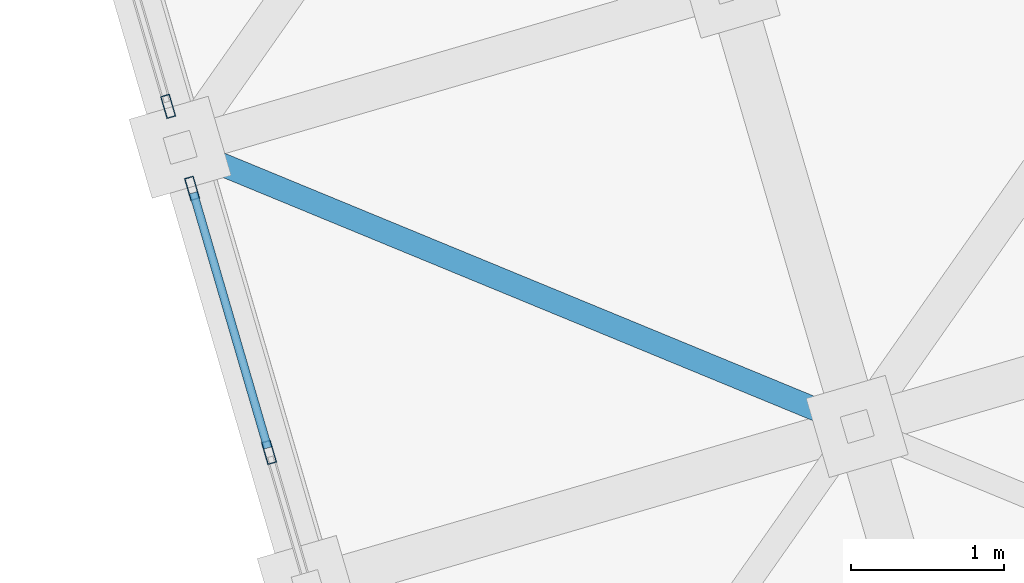
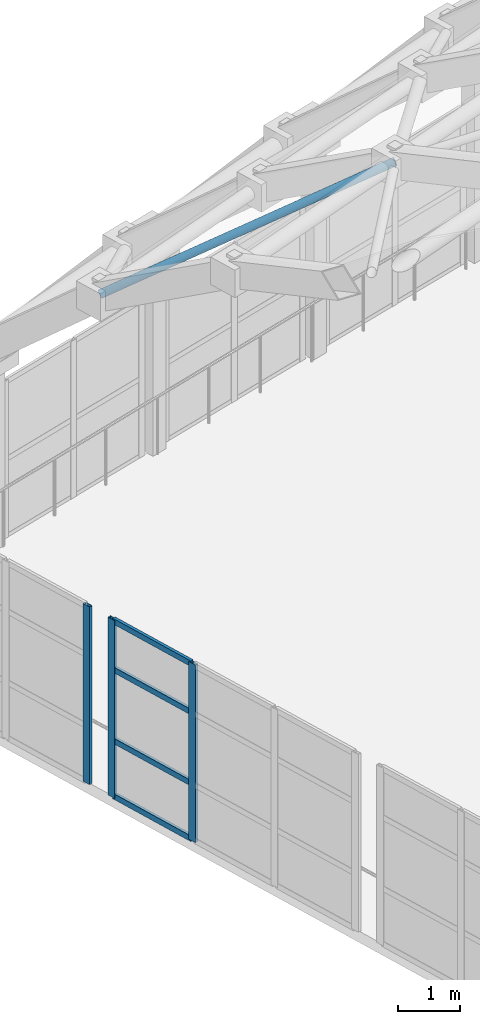
# One storey, part 49 of 248: 8 members, 2 elements without a shape of their own.
"""IFC4 building model written with IfcOpenShell, lengths in metres."""

from ifc_helpers import new_model, si_unit, direction, frame, origin, origin_2d, place, context, subcontext, project, spatial, hollow_rectangle, hollow_circle, extrude, material, layer, layer_set, material_profile, profile_set, type_object, element, aggregate, save


model = new_model("IFC4")

# Units and contexts
model_context = context("Model", 3, precision=1e-05, world=origin(), true_north=direction((0.0, 1.0)))
body_context = subcontext(model_context, "Body", "Model", "MODEL_VIEW")
ifc_project = project(units=[si_unit("LENGTHUNIT", "METRE"), si_unit("AREAUNIT", "SQUARE_METRE"), si_unit("VOLUMEUNIT", "CUBIC_METRE"), si_unit("PLANEANGLEUNIT", "RADIAN"), si_unit("MASSUNIT", "GRAM", prefix="KILO")], contexts=[model_context])

# Site, building, storey
site_placement = place(None, origin())
site = spatial("IfcSite", under=ifc_project, at=site_placement, CompositionType="ELEMENT")
building_placement = place(site_placement, origin())
building = spatial("IfcBuilding", under=site, at=building_placement, Name="Canggui Botanical Conservatory", CompositionType="ELEMENT")
storey_placement = place(building_placement, frame((0.0, 0.0, 5.39990234375)))
storey = spatial("IfcBuildingStorey", under=building, at=storey_placement, Name="L02", CompositionType="ELEMENT", Elevation=5.39990234375)

# Curtain wall, members
ifc_material_1 = material(Name="Thermally Broken Aluminium", Category="aluminium")
ifc_layer = layer(ifc_material_1, 0.14990234375, Name="Thermally Broken Aluminium", Category="aluminium")
ifc_layer_set = layer_set([ifc_layer], Name="Thermally Broken Aluminium")
curtain_wall_type = type_object("IfcCurtainWallType", Name="CW-UNIT-C", PredefinedType="USERDEFINED", material=ifc_layer_set)
curtain_wall_1_placement = place(storey_placement, origin())
curtain_wall_1 = element("IfcCurtainWall", 1, at=curtain_wall_1_placement, inside=storey, type_object=curtain_wall_type, Name="Facade Curtain Wall CW-CONS-GABLE-L02-S-04", ObjectType="UNITISED CURTAIN WALL", PredefinedType="USERDEFINED")
ifc_material_profile_1 = material_profile(ifc_material_1, hollow_rectangle(XDim=0.06005859375, YDim=0.14990234375, WallThickness=0.00341796875, at=origin_2d()), Name="CWM 60x150x3.5")
ifc_profile_set_1 = profile_set([ifc_material_profile_1], Name="Thermally Broken Aluminium")
member_type_1 = type_object("IfcMemberType", Name="CWM-03", PredefinedType="MULLION", material=ifc_profile_set_1)
member_1_placement = place(storey_placement, frame((13.86328125, 63.0400390625, 0.0), z_axis=(0.0, 0.0, 1.0), x_axis=(-0.960000000002, -0.279999999995, 0.0)))
member_1 = element("IfcMember", 2, at=member_1_placement, type_object=member_type_1, Name="CW-03 mullion 3", PredefinedType="MULLION", context=body_context, shape_type="SweptSolid", body=[
    extrude(hollow_rectangle(XDim=0.06005859375, YDim=0.14990234375, WallThickness=0.00341796875, at=origin_2d()), origin(), (0.0, 0.0, 1.0), 3.5),
])
member_2_placement = place(storey_placement, frame((13.3583984375, 64.771240234375, 0.0), z_axis=(0.0, 0.0, 1.0), x_axis=(-0.960000000002, -0.279999999995, 0.0)))
member_2 = element("IfcMember", 3, at=member_2_placement, type_object=member_type_1, Name="CW-03 mullion 4", PredefinedType="MULLION", context=body_context, shape_type="SweptSolid", body=[
    extrude(hollow_rectangle(XDim=0.06005859375, YDim=0.14990234375, WallThickness=0.00341796875, at=origin_2d()), origin(), (0.0, 0.0, 1.0), 3.5),
])

# Curtain wall, member
curtain_wall_2_placement = place(storey_placement, origin())
curtain_wall_2 = element("IfcCurtainWall", 4, at=curtain_wall_2_placement, inside=storey, type_object=curtain_wall_type, Name="Facade Curtain Wall CW-CONS-GABLE-L02-S-05", ObjectType="UNITISED CURTAIN WALL", PredefinedType="USERDEFINED")
member_3_placement = place(storey_placement, frame((13.20166015625, 65.308837890625, 0.0), z_axis=(0.0, 0.0, 1.0), x_axis=(-0.960000000002, -0.279999999995, 0.0)))
member_3 = element("IfcMember", 5, at=member_3_placement, type_object=member_type_1, Name="CW-03 mullion 1", PredefinedType="MULLION", context=body_context, shape_type="SweptSolid", body=[
    extrude(hollow_rectangle(XDim=0.06005859375, YDim=0.14990234375, WallThickness=0.00341796875, at=origin_2d()), origin(), (0.0, 0.0, 1.0), 3.5),
])
aggregate(curtain_wall_2, [member_3])

# Member
ifc_material_profile_2 = material_profile(ifc_material_1, hollow_rectangle(XDim=0.054931640625, YDim=0.110107421875, WallThickness=0.0029296875, at=origin_2d()), Name="CWT 55x110x3")
ifc_profile_set_2 = profile_set([ifc_material_profile_2], Name="Thermally Broken Aluminium")
member_type_2 = type_object("IfcMemberType", Name="CWT-03", PredefinedType="USERDEFINED", material=ifc_profile_set_2)
member_4_placement = place(storey_placement, frame((13.85498046875, 63.06884765625, 0.027587890625), z_axis=(-0.280080662242, 0.959976469836, 0.0), x_axis=(-0.959976469836, -0.280080662242, 0.0)))
member_4 = element("IfcMember", 6, at=member_4_placement, type_object=member_type_2, Name="CW-03 transom 3.1", ObjectType="TRANSOM", PredefinedType="USERDEFINED", context=body_context, shape_type="SweptSolid", body=[
    extrude(hollow_rectangle(XDim=0.054931640625, YDim=0.110107421875, WallThickness=0.0029296875, at=origin_2d()), origin(), (0.0, 0.0, 1.0), 1.743408203125),
])

member_5_placement = place(storey_placement, frame((13.85498046875, 63.06884765625, 1.1201171875), z_axis=(-0.280080662242, 0.959976469836, 0.0), x_axis=(-0.959976469836, -0.280080662242, 0.0)))
member_5 = element("IfcMember", 7, at=member_5_placement, type_object=member_type_2, Name="CW-03 transom 3.2", ObjectType="TRANSOM", PredefinedType="USERDEFINED", context=body_context, shape_type="SweptSolid", body=[
    extrude(hollow_rectangle(XDim=0.054931640625, YDim=0.110107421875, WallThickness=0.0029296875, at=origin_2d()), origin(), (0.0, 0.0, 1.0), 1.743408203125),
])

member_6_placement = place(storey_placement, frame((13.85498046875, 63.06884765625, 2.52001953125), z_axis=(-0.280080662242, 0.959976469836, 0.0), x_axis=(-0.959976469836, -0.280080662242, 0.0)))
member_6 = element("IfcMember", 8, at=member_6_placement, type_object=member_type_2, Name="CW-03 transom 3.3", ObjectType="TRANSOM", PredefinedType="USERDEFINED", context=body_context, shape_type="SweptSolid", body=[
    extrude(hollow_rectangle(XDim=0.054931640625, YDim=0.110107421875, WallThickness=0.0029296875, at=origin_2d()), origin(), (0.0, 0.0, 1.0), 1.743408203125),
])

member_7_placement = place(storey_placement, frame((13.85498046875, 63.06884765625, 3.47265625), z_axis=(-0.280080662242, 0.959976469836, 0.0), x_axis=(-0.959976469836, -0.280080662242, 0.0)))
member_7 = element("IfcMember", 9, at=member_7_placement, type_object=member_type_2, Name="CW-03 transom 3.4", ObjectType="TRANSOM", PredefinedType="USERDEFINED", context=body_context, shape_type="SweptSolid", body=[
    extrude(hollow_rectangle(XDim=0.054931640625, YDim=0.110107421875, WallThickness=0.0029296875, at=origin_2d()), origin(), (0.0, 0.0, 1.0), 1.743408203125),
])

aggregate(curtain_wall_1, [member_1, member_2, member_4, member_5, member_6, member_7])

ifc_material_2 = material(Name="Steel Q355C", Category="steel")
ifc_material_profile_3 = material_profile(ifc_material_2, hollow_circle(Radius=0.075927734375, WallThickness=0.006103515625, at=origin_2d()), Name="CHS 152x6")
ifc_profile_set_3 = profile_set([ifc_material_profile_3], Name="Steel Q355C")
member_type_3 = type_object("IfcMemberType", Name="MEM-GSD04", PredefinedType="RAFTER", material=ifc_profile_set_3)
member_8_placement = place(storey_placement, frame((13.280029296875, 65.0400390625, 9.744140625), z_axis=(0.842525075962, -0.347276364754, 0.411765252125), x_axis=(0.381082183428, 0.924541166998, 0.0)))
element("IfcMember", 10, at=member_8_placement, inside=storey, type_object=member_type_3, Name="Conservatory Gridshell Diagrid Rafter 1-8", PredefinedType="RAFTER", context=body_context, shape_type="SweptSolid", body=[
    extrude(hollow_circle(Radius=0.075927734375, WallThickness=0.006103515625, at=origin_2d()), origin(), (0.0, 0.0, 1.0), 5.269775390625),
])

save(model, "model.ifc")
